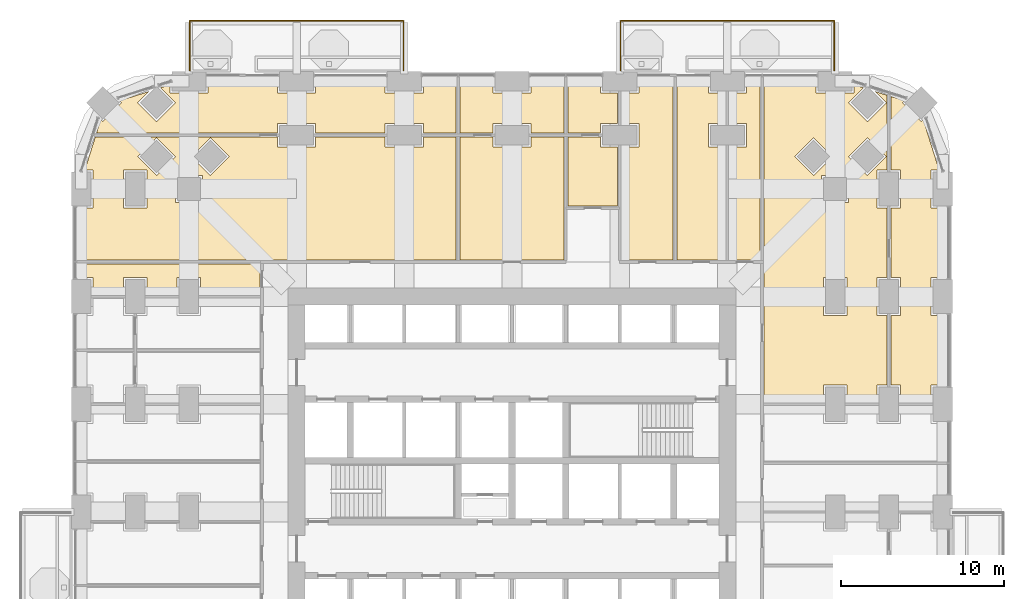
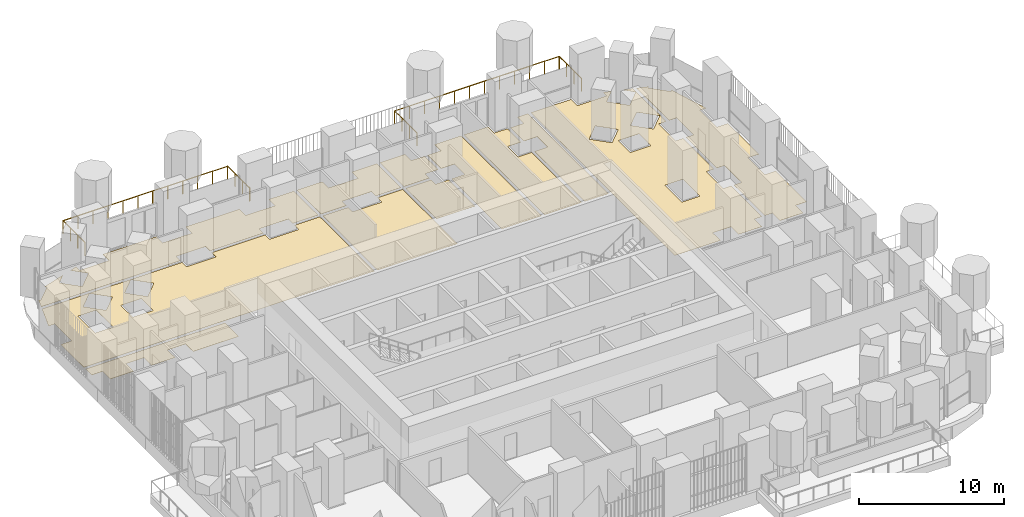
# One storey, part 26 of 27: 12 coverings, 2 railings.
"""IFC4 building model written with IfcOpenShell, lengths in metres."""

from ifc_helpers import new_model, si_unit, direction, frame, origin, place, context, subcontext, project, spatial, polyline, outline, extrude, material, layer, layer_set, type_object, element, save


model = new_model("IFC4")

# Units and contexts
model_context = context("Model", 3, precision=1e-05, world=origin(), true_north=direction((0.0, 1.0)))
body_context = subcontext(model_context, "Body", "Model", "MODEL_VIEW")
ifc_project = project(units=[si_unit("LENGTHUNIT", "METRE"), si_unit("AREAUNIT", "SQUARE_METRE"), si_unit("VOLUMEUNIT", "CUBIC_METRE"), si_unit("PLANEANGLEUNIT", "RADIAN"), si_unit("MASSUNIT", "GRAM", prefix="KILO")], contexts=[model_context])

# Site, building, storey
site_placement = place(None, origin())
site = spatial("IfcSite", under=ifc_project, at=site_placement, CompositionType="ELEMENT")
building_placement = place(site_placement, origin())
building = spatial("IfcBuilding", under=site, at=building_placement, Name="Cobogo Forest Laboratory Tower", CompositionType="ELEMENT")
storey_placement = place(building_placement, frame((0.0, 0.0, 38.10009765625)))
storey = spatial("IfcBuildingStorey", under=building, at=storey_placement, Name="L08", CompositionType="ELEMENT", Elevation=38.10009765625)

# Railings
ifc_material_1 = material(Name="Laminated glass balustrade", Category="glass")
railing_type = type_object("IfcRailingType", Name="BG1 glass balustrade 1100", PredefinedType="GUARDRAIL", material=ifc_material_1)
railing_1_placement = place(storey_placement, frame((6.64990234375, 46.85009765625, 0.0)))
element("IfcRailing", 1, at=railing_1_placement, inside=storey, type_object=railing_type, Name="Balcony balustrade BAL-N1 L08", PredefinedType="GUARDRAIL", context=body_context, shape_type="SweptSolid", body=[
    extrude(outline(polyline([(0.022216796875, 0.00927734375), (0.00927734375, 0.022216796875), (-0.00927734375, 0.022216796875), (-0.022216796875, 0.00927734375), (-0.022216796875, -0.00927734375), (-0.00927734375, -0.022216796875), (0.00927734375, -0.022216796875), (0.022216796875, -0.00927734375), (0.022216796875, 0.00927734375)])), frame((0.0, 0.0, 1.077880859375), z_axis=(0.0, 1.0, 0.0), x_axis=(-1.0, 0.0, 0.0)), (0.0, 0.0, 1.0), 3.0498046875),
    extrude(outline(polyline([(0.022216796875, 0.00927734375), (0.00927734375, 0.022216796875), (-0.00927734375, 0.022216796875), (-0.022216796875, 0.00927734375), (-0.022216796875, -0.00927734375), (-0.00927734375, -0.022216796875), (0.00927734375, -0.022216796875), (0.022216796875, -0.00927734375), (0.022216796875, 0.00927734375)])), frame((0.0, 3.0498046875, 1.077880859375), z_axis=(1.0, 0.0, 0.0), x_axis=(0.0, 1.0, 0.0)), (0.0, 0.0, 1.0), 13.10009765625),
    extrude(outline(polyline([(0.022216796875, 0.00927734375), (0.00927734375, 0.022216796875), (-0.00927734375, 0.022216796875), (-0.022216796875, 0.00927734375), (-0.022216796875, -0.00927734375), (-0.00927734375, -0.022216796875), (0.00927734375, -0.022216796875), (0.022216796875, -0.00927734375), (0.022216796875, 0.00927734375)])), frame((13.10009765625, 3.0498046875, 1.077880859375), z_axis=(0.0, -1.0, 0.0), x_axis=(1.0, 0.0, 0.0)), (0.0, 0.0, 1.0), 3.0498046875),
    extrude(outline(polyline([(0.019287109375, 0.008056640625), (0.008056640625, 0.019287109375), (-0.008056640625, 0.019287109375), (-0.019287109375, 0.008056640625), (-0.019287109375, -0.008056640625), (-0.008056640625, -0.019287109375), (0.008056640625, -0.019287109375), (0.019287109375, -0.008056640625), (0.019287109375, 0.008056640625)])), origin(), (0.0, 0.0, 1.0), 1.077880859375),
    extrude(outline(polyline([(0.019287109375, 0.008056640625), (0.008056640625, 0.019287109375), (-0.008056640625, 0.019287109375), (-0.019287109375, 0.008056640625), (-0.019287109375, -0.008056640625), (-0.008056640625, -0.019287109375), (0.008056640625, -0.019287109375), (0.019287109375, -0.008056640625), (0.019287109375, 0.008056640625)])), frame((0.0, 1.0166015625, 0.0)), (0.0, 0.0, 1.0), 1.077880859375),
    extrude(outline(polyline([(0.019287109375, 0.008056640625), (0.008056640625, 0.019287109375), (-0.008056640625, 0.019287109375), (-0.019287109375, 0.008056640625), (-0.019287109375, -0.008056640625), (-0.008056640625, -0.019287109375), (0.008056640625, -0.019287109375), (0.019287109375, -0.008056640625), (0.019287109375, 0.008056640625)])), frame((0.0, 2.033203125, 0.0)), (0.0, 0.0, 1.0), 1.077880859375),
    extrude(outline(polyline([(0.019287109375, 0.008056640625), (0.008056640625, 0.019287109375), (-0.008056640625, 0.019287109375), (-0.019287109375, 0.008056640625), (-0.019287109375, -0.008056640625), (-0.008056640625, -0.019287109375), (0.008056640625, -0.019287109375), (0.019287109375, -0.008056640625), (0.019287109375, 0.008056640625)])), frame((0.0, 3.0498046875, 0.0)), (0.0, 0.0, 1.0), 1.077880859375),
    extrude(outline(polyline([(0.019287109375, 0.008056640625), (0.008056640625, 0.019287109375), (-0.008056640625, 0.019287109375), (-0.019287109375, 0.008056640625), (-0.019287109375, -0.008056640625), (-0.008056640625, -0.019287109375), (0.008056640625, -0.019287109375), (0.019287109375, -0.008056640625), (0.019287109375, 0.008056640625)])), frame((1.19091796875, 3.0498046875, 0.0)), (0.0, 0.0, 1.0), 1.077880859375),
    extrude(outline(polyline([(0.019287109375, 0.008056640625), (0.008056640625, 0.019287109375), (-0.008056640625, 0.019287109375), (-0.019287109375, 0.008056640625), (-0.019287109375, -0.008056640625), (-0.008056640625, -0.019287109375), (0.008056640625, -0.019287109375), (0.019287109375, -0.008056640625), (0.019287109375, 0.008056640625)])), frame((2.3818359375, 3.0498046875, 0.0)), (0.0, 0.0, 1.0), 1.077880859375),
    extrude(outline(polyline([(0.019287109375, 0.008056640625), (0.008056640625, 0.019287109375), (-0.008056640625, 0.019287109375), (-0.019287109375, 0.008056640625), (-0.019287109375, -0.008056640625), (-0.008056640625, -0.019287109375), (0.008056640625, -0.019287109375), (0.019287109375, -0.008056640625), (0.019287109375, 0.008056640625)])), frame((3.57275390625, 3.0498046875, 0.0)), (0.0, 0.0, 1.0), 1.077880859375),
    extrude(outline(polyline([(0.019287109375, 0.008056640625), (0.008056640625, 0.019287109375), (-0.008056640625, 0.019287109375), (-0.019287109375, 0.008056640625), (-0.019287109375, -0.008056640625), (-0.008056640625, -0.019287109375), (0.008056640625, -0.019287109375), (0.019287109375, -0.008056640625), (0.019287109375, 0.008056640625)])), frame((4.763671875, 3.0498046875, 0.0)), (0.0, 0.0, 1.0), 1.077880859375),
    extrude(outline(polyline([(0.019287109375, 0.008056640625), (0.008056640625, 0.019287109375), (-0.008056640625, 0.019287109375), (-0.019287109375, 0.008056640625), (-0.019287109375, -0.008056640625), (-0.008056640625, -0.019287109375), (0.008056640625, -0.019287109375), (0.019287109375, -0.008056640625), (0.019287109375, 0.008056640625)])), frame((5.95458984375, 3.0498046875, 0.0)), (0.0, 0.0, 1.0), 1.077880859375),
    extrude(outline(polyline([(0.019287109375, 0.008056640625), (0.008056640625, 0.019287109375), (-0.008056640625, 0.019287109375), (-0.019287109375, 0.008056640625), (-0.019287109375, -0.008056640625), (-0.008056640625, -0.019287109375), (0.008056640625, -0.019287109375), (0.019287109375, -0.008056640625), (0.019287109375, 0.008056640625)])), frame((7.1455078125, 3.0498046875, 0.0)), (0.0, 0.0, 1.0), 1.077880859375),
    extrude(outline(polyline([(0.019287109375, 0.008056640625), (0.008056640625, 0.019287109375), (-0.008056640625, 0.019287109375), (-0.019287109375, 0.008056640625), (-0.019287109375, -0.008056640625), (-0.008056640625, -0.019287109375), (0.008056640625, -0.019287109375), (0.019287109375, -0.008056640625), (0.019287109375, 0.008056640625)])), frame((8.33642578125, 3.0498046875, 0.0)), (0.0, 0.0, 1.0), 1.077880859375),
    extrude(outline(polyline([(0.019287109375, 0.008056640625), (0.008056640625, 0.019287109375), (-0.008056640625, 0.019287109375), (-0.019287109375, 0.008056640625), (-0.019287109375, -0.008056640625), (-0.008056640625, -0.019287109375), (0.008056640625, -0.019287109375), (0.019287109375, -0.008056640625), (0.019287109375, 0.008056640625)])), frame((9.52734375, 3.0498046875, 0.0)), (0.0, 0.0, 1.0), 1.077880859375),
    extrude(outline(polyline([(0.019287109375, 0.008056640625), (0.008056640625, 0.019287109375), (-0.008056640625, 0.019287109375), (-0.019287109375, 0.008056640625), (-0.019287109375, -0.008056640625), (-0.008056640625, -0.019287109375), (0.008056640625, -0.019287109375), (0.019287109375, -0.008056640625), (0.019287109375, 0.008056640625)])), frame((10.71826171875, 3.0498046875, 0.0)), (0.0, 0.0, 1.0), 1.077880859375),
    extrude(outline(polyline([(0.019287109375, 0.008056640625), (0.008056640625, 0.019287109375), (-0.008056640625, 0.019287109375), (-0.019287109375, 0.008056640625), (-0.019287109375, -0.008056640625), (-0.008056640625, -0.019287109375), (0.008056640625, -0.019287109375), (0.019287109375, -0.008056640625), (0.019287109375, 0.008056640625)])), frame((11.9091796875, 3.0498046875, 0.0)), (0.0, 0.0, 1.0), 1.077880859375),
    extrude(outline(polyline([(0.019287109375, 0.008056640625), (0.008056640625, 0.019287109375), (-0.008056640625, 0.019287109375), (-0.019287109375, 0.008056640625), (-0.019287109375, -0.008056640625), (-0.008056640625, -0.019287109375), (0.008056640625, -0.019287109375), (0.019287109375, -0.008056640625), (0.019287109375, 0.008056640625)])), frame((13.10009765625, 3.0498046875, 0.0)), (0.0, 0.0, 1.0), 1.077880859375),
    extrude(outline(polyline([(0.019287109375, 0.008056640625), (0.008056640625, 0.019287109375), (-0.008056640625, 0.019287109375), (-0.019287109375, 0.008056640625), (-0.019287109375, -0.008056640625), (-0.008056640625, -0.019287109375), (0.008056640625, -0.019287109375), (0.019287109375, -0.008056640625), (0.019287109375, 0.008056640625)])), frame((13.10009765625, 2.033203125, 0.0)), (0.0, 0.0, 1.0), 1.077880859375),
    extrude(outline(polyline([(0.019287109375, 0.008056640625), (0.008056640625, 0.019287109375), (-0.008056640625, 0.019287109375), (-0.019287109375, 0.008056640625), (-0.019287109375, -0.008056640625), (-0.008056640625, -0.019287109375), (0.008056640625, -0.019287109375), (0.019287109375, -0.008056640625), (0.019287109375, 0.008056640625)])), frame((13.10009765625, 1.0166015625, 0.0)), (0.0, 0.0, 1.0), 1.077880859375),
    extrude(outline(polyline([(0.019287109375, 0.008056640625), (0.008056640625, 0.019287109375), (-0.008056640625, 0.019287109375), (-0.019287109375, 0.008056640625), (-0.019287109375, -0.008056640625), (-0.008056640625, -0.019287109375), (0.008056640625, -0.019287109375), (0.019287109375, -0.008056640625), (0.019287109375, 0.008056640625)])), frame((13.10009765625, 0.0, 0.0)), (0.0, 0.0, 1.0), 1.077880859375),
])
railing_2_placement = place(storey_placement, frame((33.050048828125, 46.85009765625, 0.0)))
element("IfcRailing", 2, at=railing_2_placement, inside=storey, type_object=railing_type, Name="Balcony balustrade BAL-N2 L08", PredefinedType="GUARDRAIL", context=body_context, shape_type="SweptSolid", body=[
    extrude(outline(polyline([(0.022216796875, 0.00927734375), (0.00927734375, 0.022216796875), (-0.00927734375, 0.022216796875), (-0.022216796875, 0.00927734375), (-0.022216796875, -0.00927734375), (-0.00927734375, -0.022216796875), (0.00927734375, -0.022216796875), (0.022216796875, -0.00927734375), (0.022216796875, 0.00927734375)])), frame((0.0, 0.0, 1.077880859375), z_axis=(0.0, 1.0, 0.0), x_axis=(-1.0, 0.0, 0.0)), (0.0, 0.0, 1.0), 3.0498046875),
    extrude(outline(polyline([(0.022216796875, 0.00927734375), (0.00927734375, 0.022216796875), (-0.00927734375, 0.022216796875), (-0.022216796875, 0.00927734375), (-0.022216796875, -0.00927734375), (-0.00927734375, -0.022216796875), (0.00927734375, -0.022216796875), (0.022216796875, -0.00927734375), (0.022216796875, 0.00927734375)])), frame((0.0, 3.0498046875, 1.077880859375), z_axis=(1.0, 0.0, 0.0), x_axis=(0.0, 1.0, 0.0)), (0.0, 0.0, 1.0), 13.099853515625),
    extrude(outline(polyline([(0.022216796875, 0.00927734375), (0.00927734375, 0.022216796875), (-0.00927734375, 0.022216796875), (-0.022216796875, 0.00927734375), (-0.022216796875, -0.00927734375), (-0.00927734375, -0.022216796875), (0.00927734375, -0.022216796875), (0.022216796875, -0.00927734375), (0.022216796875, 0.00927734375)])), frame((13.099853515625, 3.0498046875, 1.077880859375), z_axis=(0.0, -1.0, 0.0), x_axis=(1.0, 0.0, 0.0)), (0.0, 0.0, 1.0), 3.0498046875),
    extrude(outline(polyline([(0.019287109375, 0.008056640625), (0.008056640625, 0.019287109375), (-0.008056640625, 0.019287109375), (-0.019287109375, 0.008056640625), (-0.019287109375, -0.008056640625), (-0.008056640625, -0.019287109375), (0.008056640625, -0.019287109375), (0.019287109375, -0.008056640625), (0.019287109375, 0.008056640625)])), origin(), (0.0, 0.0, 1.0), 1.077880859375),
    extrude(outline(polyline([(0.019287109375, 0.008056640625), (0.008056640625, 0.019287109375), (-0.008056640625, 0.019287109375), (-0.019287109375, 0.008056640625), (-0.019287109375, -0.008056640625), (-0.008056640625, -0.019287109375), (0.008056640625, -0.019287109375), (0.019287109375, -0.008056640625), (0.019287109375, 0.008056640625)])), frame((0.0, 1.0166015625, 0.0)), (0.0, 0.0, 1.0), 1.077880859375),
    extrude(outline(polyline([(0.019287109375, 0.008056640625), (0.008056640625, 0.019287109375), (-0.008056640625, 0.019287109375), (-0.019287109375, 0.008056640625), (-0.019287109375, -0.008056640625), (-0.008056640625, -0.019287109375), (0.008056640625, -0.019287109375), (0.019287109375, -0.008056640625), (0.019287109375, 0.008056640625)])), frame((0.0, 2.033203125, 0.0)), (0.0, 0.0, 1.0), 1.077880859375),
    extrude(outline(polyline([(0.019287109375, 0.008056640625), (0.008056640625, 0.019287109375), (-0.008056640625, 0.019287109375), (-0.019287109375, 0.008056640625), (-0.019287109375, -0.008056640625), (-0.008056640625, -0.019287109375), (0.008056640625, -0.019287109375), (0.019287109375, -0.008056640625), (0.019287109375, 0.008056640625)])), frame((0.0, 3.0498046875, 0.0)), (0.0, 0.0, 1.0), 1.077880859375),
    extrude(outline(polyline([(0.019287109375, 0.008056640625), (0.008056640625, 0.019287109375), (-0.008056640625, 0.019287109375), (-0.019287109375, 0.008056640625), (-0.019287109375, -0.008056640625), (-0.008056640625, -0.019287109375), (0.008056640625, -0.019287109375), (0.019287109375, -0.008056640625), (0.019287109375, 0.008056640625)])), frame((1.19091796875, 3.0498046875, 0.0)), (0.0, 0.0, 1.0), 1.077880859375),
    extrude(outline(polyline([(0.019287109375, 0.008056640625), (0.008056640625, 0.019287109375), (-0.008056640625, 0.019287109375), (-0.019287109375, 0.008056640625), (-0.019287109375, -0.008056640625), (-0.008056640625, -0.019287109375), (0.008056640625, -0.019287109375), (0.019287109375, -0.008056640625), (0.019287109375, 0.008056640625)])), frame((2.3818359375, 3.0498046875, 0.0)), (0.0, 0.0, 1.0), 1.077880859375),
    extrude(outline(polyline([(0.019287109375, 0.008056640625), (0.008056640625, 0.019287109375), (-0.008056640625, 0.019287109375), (-0.019287109375, 0.008056640625), (-0.019287109375, -0.008056640625), (-0.008056640625, -0.019287109375), (0.008056640625, -0.019287109375), (0.019287109375, -0.008056640625), (0.019287109375, 0.008056640625)])), frame((3.57275390625, 3.0498046875, 0.0)), (0.0, 0.0, 1.0), 1.077880859375),
    extrude(outline(polyline([(0.019287109375, 0.008056640625), (0.008056640625, 0.019287109375), (-0.008056640625, 0.019287109375), (-0.019287109375, 0.008056640625), (-0.019287109375, -0.008056640625), (-0.008056640625, -0.019287109375), (0.008056640625, -0.019287109375), (0.019287109375, -0.008056640625), (0.019287109375, 0.008056640625)])), frame((4.763671875, 3.0498046875, 0.0)), (0.0, 0.0, 1.0), 1.077880859375),
    extrude(outline(polyline([(0.019287109375, 0.008056640625), (0.008056640625, 0.019287109375), (-0.008056640625, 0.019287109375), (-0.019287109375, 0.008056640625), (-0.019287109375, -0.008056640625), (-0.008056640625, -0.019287109375), (0.008056640625, -0.019287109375), (0.019287109375, -0.008056640625), (0.019287109375, 0.008056640625)])), frame((5.95458984375, 3.0498046875, 0.0)), (0.0, 0.0, 1.0), 1.077880859375),
    extrude(outline(polyline([(0.019287109375, 0.008056640625), (0.008056640625, 0.019287109375), (-0.008056640625, 0.019287109375), (-0.019287109375, 0.008056640625), (-0.019287109375, -0.008056640625), (-0.008056640625, -0.019287109375), (0.008056640625, -0.019287109375), (0.019287109375, -0.008056640625), (0.019287109375, 0.008056640625)])), frame((7.145263671875, 3.0498046875, 0.0)), (0.0, 0.0, 1.0), 1.077880859375),
    extrude(outline(polyline([(0.019287109375, 0.008056640625), (0.008056640625, 0.019287109375), (-0.008056640625, 0.019287109375), (-0.019287109375, 0.008056640625), (-0.019287109375, -0.008056640625), (-0.008056640625, -0.019287109375), (0.008056640625, -0.019287109375), (0.019287109375, -0.008056640625), (0.019287109375, 0.008056640625)])), frame((8.336181640625, 3.0498046875, 0.0)), (0.0, 0.0, 1.0), 1.077880859375),
    extrude(outline(polyline([(0.019287109375, 0.008056640625), (0.008056640625, 0.019287109375), (-0.008056640625, 0.019287109375), (-0.019287109375, 0.008056640625), (-0.019287109375, -0.008056640625), (-0.008056640625, -0.019287109375), (0.008056640625, -0.019287109375), (0.019287109375, -0.008056640625), (0.019287109375, 0.008056640625)])), frame((9.527099609375, 3.0498046875, 0.0)), (0.0, 0.0, 1.0), 1.077880859375),
    extrude(outline(polyline([(0.019287109375, 0.008056640625), (0.008056640625, 0.019287109375), (-0.008056640625, 0.019287109375), (-0.019287109375, 0.008056640625), (-0.019287109375, -0.008056640625), (-0.008056640625, -0.019287109375), (0.008056640625, -0.019287109375), (0.019287109375, -0.008056640625), (0.019287109375, 0.008056640625)])), frame((10.718017578125, 3.0498046875, 0.0)), (0.0, 0.0, 1.0), 1.077880859375),
    extrude(outline(polyline([(0.019287109375, 0.008056640625), (0.008056640625, 0.019287109375), (-0.008056640625, 0.019287109375), (-0.019287109375, 0.008056640625), (-0.019287109375, -0.008056640625), (-0.008056640625, -0.019287109375), (0.008056640625, -0.019287109375), (0.019287109375, -0.008056640625), (0.019287109375, 0.008056640625)])), frame((11.908935546875, 3.0498046875, 0.0)), (0.0, 0.0, 1.0), 1.077880859375),
    extrude(outline(polyline([(0.019287109375, 0.008056640625), (0.008056640625, 0.019287109375), (-0.008056640625, 0.019287109375), (-0.019287109375, 0.008056640625), (-0.019287109375, -0.008056640625), (-0.008056640625, -0.019287109375), (0.008056640625, -0.019287109375), (0.019287109375, -0.008056640625), (0.019287109375, 0.008056640625)])), frame((13.099853515625, 3.0498046875, 0.0)), (0.0, 0.0, 1.0), 1.077880859375),
    extrude(outline(polyline([(0.019287109375, 0.008056640625), (0.008056640625, 0.019287109375), (-0.008056640625, 0.019287109375), (-0.019287109375, 0.008056640625), (-0.019287109375, -0.008056640625), (-0.008056640625, -0.019287109375), (0.008056640625, -0.019287109375), (0.019287109375, -0.008056640625), (0.019287109375, 0.008056640625)])), frame((13.099853515625, 2.033203125, 0.0)), (0.0, 0.0, 1.0), 1.077880859375),
    extrude(outline(polyline([(0.019287109375, 0.008056640625), (0.008056640625, 0.019287109375), (-0.008056640625, 0.019287109375), (-0.019287109375, 0.008056640625), (-0.019287109375, -0.008056640625), (-0.008056640625, -0.019287109375), (0.008056640625, -0.019287109375), (0.019287109375, -0.008056640625), (0.019287109375, 0.008056640625)])), frame((13.099853515625, 1.0166015625, 0.0)), (0.0, 0.0, 1.0), 1.077880859375),
    extrude(outline(polyline([(0.019287109375, 0.008056640625), (0.008056640625, 0.019287109375), (-0.008056640625, 0.019287109375), (-0.019287109375, 0.008056640625), (-0.019287109375, -0.008056640625), (-0.008056640625, -0.019287109375), (0.008056640625, -0.019287109375), (0.019287109375, -0.008056640625), (0.019287109375, 0.008056640625)])), frame((13.099853515625, 0.0, 0.0)), (0.0, 0.0, 1.0), 1.077880859375),
])

# Coverings
ifc_material_2 = material(Name="Carpet tile on raised access floor", Category="flooring")
ifc_layer_1 = layer(ifc_material_2, 0.008056640625)
ifc_layer_set_1 = layer_set([ifc_layer_1], Name="CT1 carpet tile floor 8")
covering_type_1 = type_object("IfcCoveringType", Name="CT1 carpet tile floor 8", PredefinedType="FLOORING", material=ifc_layer_set_1)
covering_1_placement = place(storey_placement, origin())
element("IfcCovering", 3, at=covering_1_placement, inside=storey, type_object=covering_type_1, Name="Carpet floor L08-18", PredefinedType="FLOORING", context=body_context, shape_type="SweptSolid", body=[
    extrude(outline(polyline([(49.6201171875, 31.830078125), (50.219970703125, 31.830078125), (50.219970703125, 34.169921875), (49.6201171875, 34.169921875), (49.6201171875, 38.429931640625), (50.219970703125, 38.429931640625), (50.219970703125, 40.77001953125), (49.6201171875, 40.77001953125), (49.6201171875, 45.26025390625), (50.441162109375, 45.0009765625), (50.322265625, 44.882080078125), (51.48193359375, 43.722412109375), (51.600830078125, 43.84130859375), (52.57080078125, 40.77001953125), (52.080078125, 40.77001953125), (52.080078125, 38.429931640625), (52.949951171875, 38.429931640625), (52.949951171875, 34.169921875), (52.080078125, 34.169921875), (52.080078125, 31.830078125), (52.949951171875, 31.830078125), (52.949951171875, 27.570068359375), (52.080078125, 27.570068359375), (52.080078125, 26.52001953125), (50.219970703125, 26.52001953125), (50.219970703125, 27.570068359375), (49.6201171875, 27.570068359375), (49.6201171875, 31.830078125)])), origin(), (0.0, 0.0, 1.0), 0.0078125),
])
covering_2_placement = place(storey_placement, origin())
element("IfcCovering", 4, at=covering_2_placement, inside=storey, type_object=covering_type_1, Name="Carpet floor L08-20", PredefinedType="FLOORING", context=body_context, shape_type="SweptSolid", body=[
    extrude(outline(polyline([(20.969970703125, 43.02001953125), (20.969970703125, 43.6201171875), (18.6298828125, 43.6201171875), (18.6298828125, 43.02001953125), (14.3701171875, 43.02001953125), (14.3701171875, 43.6201171875), (12.030029296875, 43.6201171875), (12.030029296875, 43.02001953125), (0.939697265625, 43.02001953125), (1.19921875, 43.84130859375), (1.318115234375, 43.722412109375), (2.477783203125, 44.882080078125), (2.358642578125, 45.0009765625), (4.1396484375, 45.563232421875), (3.458251953125, 44.882080078125), (4.617919921875, 43.722412109375), (5.777587890625, 44.882080078125), (4.86669921875, 45.79296875), (5.429931640625, 45.970703125), (5.429931640625, 45.47998046875), (7.77001953125, 45.47998046875), (7.77001953125, 46.35009765625), (12.030029296875, 46.35009765625), (12.030029296875, 45.47998046875), (14.3701171875, 45.47998046875), (14.3701171875, 46.35009765625), (18.6298828125, 46.35009765625), (18.6298828125, 45.47998046875), (20.969970703125, 45.47998046875), (20.969970703125, 46.35009765625), (22.97998046875, 46.35009765625), (22.97998046875, 43.02001953125), (20.969970703125, 43.02001953125)])), origin(), (0.0, 0.0, 1.0), 0.0078125),
])
covering_3_placement = place(storey_placement, origin())
element("IfcCovering", 5, at=covering_3_placement, inside=storey, type_object=covering_type_1, Name="Carpet floor L08-22", PredefinedType="FLOORING", context=body_context, shape_type="SweptSolid", body=[
    extrude(outline(polyline([(27.570068359375, 43.02001953125), (27.570068359375, 43.6201171875), (25.22998046875, 43.6201171875), (25.22998046875, 43.02001953125), (23.219970703125, 43.02001953125), (23.219970703125, 46.35009765625), (25.22998046875, 46.35009765625), (25.22998046875, 45.47998046875), (27.570068359375, 45.47998046875), (27.570068359375, 46.35009765625), (29.580078125, 46.35009765625), (29.580078125, 43.02001953125), (27.570068359375, 43.02001953125)])), origin(), (0.0, 0.0, 1.0), 0.0078125),
])
covering_4_placement = place(storey_placement, origin())
element("IfcCovering", 6, at=covering_4_placement, inside=storey, type_object=covering_type_1, Name="Carpet floor L08-24", PredefinedType="FLOORING", context=body_context, shape_type="SweptSolid", body=[
    extrude(outline(polyline([(29.820068359375, 43.02001953125), (29.820068359375, 46.35009765625), (31.830078125, 46.35009765625), (31.830078125, 45.47998046875), (32.8798828125, 45.47998046875), (32.8798828125, 43.6201171875), (31.830078125, 43.6201171875), (31.830078125, 43.02001953125), (29.820068359375, 43.02001953125)])), origin(), (0.0, 0.0, 1.0), 0.0078125),
])
covering_5_placement = place(storey_placement, origin())
element("IfcCovering", 7, at=covering_5_placement, inside=storey, type_object=covering_type_1, Name="Carpet floor L08-25", PredefinedType="FLOORING", context=body_context, shape_type="SweptSolid", body=[
    extrude(outline(polyline([(33.1201171875, 35.2451171875), (33.1201171875, 42.179931640625), (34.169921875, 42.179931640625), (34.169921875, 43.6201171875), (33.1201171875, 43.6201171875), (33.1201171875, 45.47998046875), (34.169921875, 45.47998046875), (34.169921875, 46.35009765625), (36.280029296875, 46.35009765625), (36.280029296875, 35.2451171875), (33.1201171875, 35.2451171875)])), origin(), (0.0, 0.0, 1.0), 0.0078125),
])
covering_6_placement = place(storey_placement, origin())
element("IfcCovering", 8, at=covering_6_placement, inside=storey, type_object=covering_type_1, Name="Carpet floor L08-27", PredefinedType="FLOORING", context=body_context, shape_type="SweptSolid", body=[
    extrude(outline(polyline([(39.719970703125, 35.2451171875), (39.719970703125, 42.179931640625), (40.77001953125, 42.179931640625), (40.77001953125, 43.6201171875), (39.719970703125, 43.6201171875), (39.719970703125, 45.47998046875), (40.77001953125, 45.47998046875), (40.77001953125, 46.35009765625), (41.60498046875, 46.35009765625), (41.60498046875, 35.2451171875), (39.719970703125, 35.2451171875)])), origin(), (0.0, 0.0, 1.0), 0.0078125),
])
covering_7_placement = place(storey_placement, origin())
element("IfcCovering", 9, at=covering_7_placement, inside=storey, type_object=covering_type_1, Name="Carpet floor L08-38", PredefinedType="FLOORING", context=body_context, shape_type="SweptSolid", body=[
    extrude(outline(polyline([(10.955078125, 33.1201171875), (7.320068359375, 33.1201171875), (7.320068359375, 34.169921875), (5.8798828125, 34.169921875), (5.8798828125, 33.1201171875), (4.02001953125, 33.1201171875), (4.02001953125, 34.169921875), (2.580078125, 34.169921875), (2.580078125, 33.1201171875), (0.719970703125, 33.1201171875), (0.719970703125, 34.169921875), (-0.14990234375, 34.169921875), (-0.14990234375, 35.0048828125), (10.955078125, 35.0048828125), (10.955078125, 33.1201171875)])), origin(), (0.0, 0.0, 1.0), 0.0078125),
])
ifc_material_3 = material(Name="Epoxy resin flooring", Category="flooring")
ifc_layer_2 = layer(ifc_material_3, 0.00390625)
ifc_layer_set_2 = layer_set([ifc_layer_2], Name="LF1 epoxy laboratory floor 4")
covering_type_2 = type_object("IfcCoveringType", Name="LF1 epoxy laboratory floor 4", PredefinedType="FLOORING", material=ifc_layer_set_2)
covering_8_placement = place(storey_placement, origin())
element("IfcCovering", 10, at=covering_8_placement, inside=storey, type_object=covering_type_2, Name="Epoxy laboratory floor L08-17", PredefinedType="FLOORING", context=body_context, shape_type="SweptSolid", body=[
    extrude(outline(polyline([(46.919921875, 26.52001953125), (46.919921875, 27.570068359375), (45.47998046875, 27.570068359375), (45.47998046875, 26.52001953125), (41.844970703125, 26.52001953125), (41.844970703125, 46.35009765625), (45.030029296875, 46.35009765625), (45.030029296875, 45.47998046875), (47.3701171875, 45.47998046875), (47.3701171875, 45.970703125), (47.933349609375, 45.79296875), (47.022216796875, 44.882080078125), (48.181884765625, 43.722412109375), (49.341552734375, 44.882080078125), (48.660400390625, 45.563232421875), (49.3798828125, 45.3359375), (49.3798828125, 40.77001953125), (48.780029296875, 40.77001953125), (48.780029296875, 38.429931640625), (49.3798828125, 38.429931640625), (49.3798828125, 34.169921875), (48.780029296875, 34.169921875), (48.780029296875, 31.830078125), (49.3798828125, 31.830078125), (49.3798828125, 27.570068359375), (48.780029296875, 27.570068359375), (48.780029296875, 26.52001953125), (46.919921875, 26.52001953125)]), holes=[polyline([(47.022216796875, 41.58203125), (48.181884765625, 40.42236328125), (49.341552734375, 41.58203125), (48.181884765625, 42.74169921875), (47.022216796875, 41.58203125)]), polyline([(47.02001953125, 40.419921875), (45.3798828125, 40.419921875), (45.3798828125, 38.780029296875), (47.02001953125, 38.780029296875), (47.02001953125, 40.419921875)]), polyline([(45.47998046875, 31.830078125), (46.919921875, 31.830078125), (46.919921875, 34.169921875), (45.47998046875, 34.169921875), (45.47998046875, 31.830078125)]), polyline([(43.722412109375, 41.58203125), (44.882080078125, 40.42236328125), (46.041748046875, 41.58203125), (44.882080078125, 42.74169921875), (43.722412109375, 41.58203125)])]), origin(), (0.0, 0.0, 1.0), 0.00390625),
])
covering_9_placement = place(storey_placement, origin())
element("IfcCovering", 11, at=covering_9_placement, inside=storey, type_object=covering_type_2, Name="Epoxy laboratory floor L08-19", PredefinedType="FLOORING", context=body_context, shape_type="SweptSolid", body=[
    extrude(outline(polyline([(22.97998046875, 35.2451171875), (-0.14990234375, 35.2451171875), (-0.14990234375, 38.429931640625), (0.719970703125, 38.429931640625), (0.719970703125, 40.77001953125), (0.229248046875, 40.77001953125), (0.864013671875, 42.780029296875), (12.030029296875, 42.780029296875), (12.030029296875, 42.179931640625), (14.3701171875, 42.179931640625), (14.3701171875, 42.780029296875), (18.6298828125, 42.780029296875), (18.6298828125, 42.179931640625), (20.969970703125, 42.179931640625), (20.969970703125, 42.780029296875), (22.97998046875, 42.780029296875), (22.97998046875, 35.2451171875)]), holes=[polyline([(6.75830078125, 41.58203125), (7.91796875, 40.42236328125), (9.07763671875, 41.58203125), (7.91796875, 42.74169921875), (6.75830078125, 41.58203125)]), polyline([(5.780029296875, 40.419921875), (5.780029296875, 38.780029296875), (7.419921875, 38.780029296875), (7.419921875, 40.419921875), (5.780029296875, 40.419921875)]), polyline([(3.458251953125, 41.58203125), (4.617919921875, 40.42236328125), (5.777587890625, 41.58203125), (4.617919921875, 42.74169921875), (3.458251953125, 41.58203125)]), polyline([(2.580078125, 38.429931640625), (4.02001953125, 38.429931640625), (4.02001953125, 40.77001953125), (2.580078125, 40.77001953125), (2.580078125, 38.429931640625)])]), origin(), (0.0, 0.0, 1.0), 0.00390625),
])
covering_10_placement = place(storey_placement, origin())
element("IfcCovering", 12, at=covering_10_placement, inside=storey, type_object=covering_type_2, Name="Epoxy laboratory floor L08-21", PredefinedType="FLOORING", context=body_context, shape_type="SweptSolid", body=[
    extrude(outline(polyline([(23.219970703125, 42.780029296875), (25.22998046875, 42.780029296875), (25.22998046875, 42.179931640625), (27.570068359375, 42.179931640625), (27.570068359375, 42.780029296875), (29.580078125, 42.780029296875), (29.580078125, 35.2451171875), (23.219970703125, 35.2451171875), (23.219970703125, 42.780029296875)])), origin(), (0.0, 0.0, 1.0), 0.00390625),
])
ifc_material_4 = material(Name="Ceramic floor tile", Category="flooring")
ifc_layer_3 = layer(ifc_material_4, 0.010009765625)
ifc_layer_set_3 = layer_set([ifc_layer_3], Name="TF1 ceramic tile floor 10")
covering_type_3 = type_object("IfcCoveringType", Name="TF1 ceramic tile floor 10", PredefinedType="FLOORING", material=ifc_layer_set_3)
covering_11_placement = place(storey_placement, origin())
element("IfcCovering", 13, at=covering_11_placement, inside=storey, type_object=covering_type_3, Name="Tile floor L08-23", PredefinedType="FLOORING", context=body_context, shape_type="SweptSolid", body=[
    extrude(outline(polyline([(29.820068359375, 42.780029296875), (31.830078125, 42.780029296875), (31.830078125, 42.179931640625), (32.8798828125, 42.179931640625), (32.8798828125, 38.544921875), (29.820068359375, 38.544921875), (29.820068359375, 42.780029296875)])), origin(), (0.0, 0.0, 1.0), 0.010009765625),
])
covering_12_placement = place(storey_placement, origin())
element("IfcCovering", 14, at=covering_12_placement, inside=storey, type_object=covering_type_3, Name="Tile floor L08-26", PredefinedType="FLOORING", context=body_context, shape_type="SweptSolid", body=[
    extrude(outline(polyline([(36.52001953125, 35.2451171875), (36.52001953125, 46.35009765625), (38.429931640625, 46.35009765625), (38.429931640625, 45.47998046875), (39.47998046875, 45.47998046875), (39.47998046875, 43.6201171875), (38.429931640625, 43.6201171875), (38.429931640625, 42.179931640625), (39.47998046875, 42.179931640625), (39.47998046875, 35.2451171875), (36.52001953125, 35.2451171875)])), origin(), (0.0, 0.0, 1.0), 0.010009765625),
])

save(model, "model.ifc")
